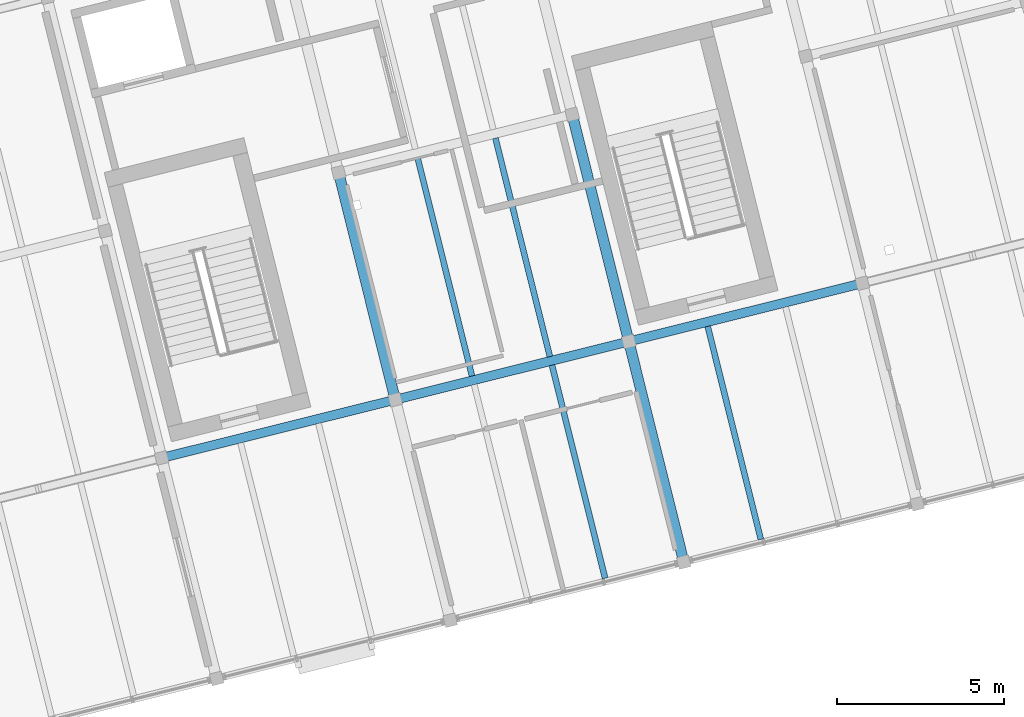
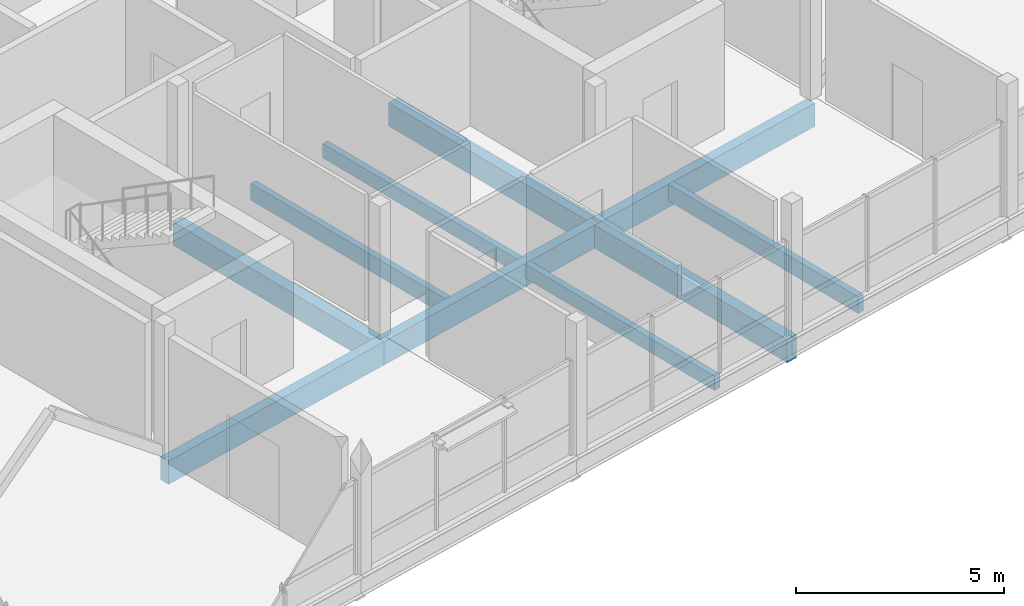
# One storey, part 6 of 26: 10 beams.
"""IFC4 building model written with IfcOpenShell, lengths in metres."""

from ifc_helpers import new_model, si_unit, direction, frame, origin, origin_2d, place, context, subcontext, project, spatial, rectangle, extrude, material, material_profile, profile_set, type_object, element, save


model = new_model("IFC4")

# Units and contexts
model_context = context("Model", 3, precision=1e-05, world=origin(), true_north=direction((0.0, 1.0)))
body_context = subcontext(model_context, "Body", "Model", "MODEL_VIEW")
ifc_project = project(units=[si_unit("LENGTHUNIT", "METRE"), si_unit("AREAUNIT", "SQUARE_METRE"), si_unit("VOLUMEUNIT", "CUBIC_METRE"), si_unit("PLANEANGLEUNIT", "RADIAN"), si_unit("MASSUNIT", "GRAM", prefix="KILO")], contexts=[model_context])

# Site, building, storey
site_placement = place(None, origin())
site = spatial("IfcSite", under=ifc_project, at=site_placement, CompositionType="ELEMENT")
building_placement = place(site_placement, origin())
building = spatial("IfcBuilding", under=site, at=building_placement, Name="Meriwether Solvik Hall", CompositionType="ELEMENT")
storey_placement = place(building_placement, frame((0.0, 0.0, 41.699951171875)))
storey = spatial("IfcBuildingStorey", under=building, at=storey_placement, Name="L10", CompositionType="ELEMENT", Elevation=41.699951171875)

# Beams
ifc_material_1 = material(Name="Glulam Douglas-Fir 24F-V8 GL28h", Category="wood")
ifc_material_profile_1 = material_profile(ifc_material_1, rectangle(XDim=0.27294921875, YDim=0.68505859375, at=origin_2d()), Name="GLB-273X685")
ifc_profile_set_1 = profile_set([ifc_material_profile_1], Name="Glulam Douglas-Fir 24F-V8 GL28h")
beam_type_1 = type_object("IfcBeamType", Name="BM-GL-273X685", PredefinedType="BEAM", material=ifc_profile_set_1)
beam_1_placement = place(storey_placement, frame((74.3291015625, 49.63671875, -0.5224609375), z_axis=(0.970301855688, 0.241897310542, 0.0), x_axis=(-0.241897310542, 0.970301855688, 0.0)))
element("IfcBeam", 1, at=beam_1_placement, inside=storey, type_object=beam_type_1, Name="Tower Girder TB:T2-T3 (L10)", PredefinedType="BEAM", context=body_context, shape_type="SweptSolid", body=[
    extrude(rectangle(XDim=0.27294921875, YDim=0.68505859375, at=origin_2d()), origin(), (0.0, 0.0, 1.0), 7.2001953125),
])
for number, where, z_axis, x_axis, name in (
    (2, (81.3154296875, 51.37841796875, -0.5224609375), (0.970291911955, 0.241937193493, 0.0), (-0.241937193493, 0.970291911955, 0.0), "Tower Girder TB:T3-T4 (L10)"),
    (3, (88.301513671875, 53.120361328125, -0.5224609375), (0.970299871507, 0.241905269381, 0.0), (-0.241905269381, 0.970299871507, 0.0), "Tower Girder TB:T4-T5 (L10)"),
):
    element("IfcBeam", number, at=place(storey_placement, frame(where, z_axis=z_axis, x_axis=x_axis)), inside=storey, type_object=beam_type_1, Name=name, PredefinedType="BEAM", context=body_context, shape_type="SweptSolid", body=[
        extrude(rectangle(XDim=0.27294921875, YDim=0.68505859375, at=origin_2d()), origin(), (0.0, 0.0, 1.0), 7.199951171875),
    ])
ifc_material_2 = material(Name="Glulam Douglas-Fir 24F-V8 GL28h", Category="wood")
ifc_material_profile_2 = material_profile(ifc_material_2, rectangle(XDim=0.31494140625, YDim=0.68505859375, at=origin_2d()), Name="GLB-315X685")
ifc_profile_set_2 = profile_set([ifc_material_profile_2], Name="Glulam Douglas-Fir 24F-V8 GL28h")
beam_type_2 = type_object("IfcBeamType", Name="BM-GL-315X685", PredefinedType="BEAM", material=ifc_profile_set_2)
beam_2_placement = place(storey_placement, frame((81.3154296875, 51.37841796875, -0.5224609375), z_axis=(-0.241944715397, 0.970290036376, 0.0), x_axis=(-0.970290036376, -0.241944715397, 0.0)))
element("IfcBeam", 4, at=beam_2_placement, inside=storey, type_object=beam_type_2, Name="Tower Girder T3:TB-TC (L10)", PredefinedType="BEAM", context=body_context, shape_type="SweptSolid", body=[
    extrude(rectangle(XDim=0.31494140625, YDim=0.68505859375, at=origin_2d()), origin(), (0.0, 0.0, 1.0), 7.0),
])
beam_3_placement = place(storey_placement, frame((89.946533203125, 46.522216796875, -0.5224609375), z_axis=(-0.24191045034, 0.970298579828, 0.0), x_axis=(-0.970298579828, -0.24191045034, 0.0)))
element("IfcBeam", 5, at=beam_3_placement, inside=storey, type_object=beam_type_2, Name="Tower Girder T4:TA-TB (L10)", PredefinedType="BEAM", context=body_context, shape_type="SweptSolid", body=[
    extrude(rectangle(XDim=0.31494140625, YDim=0.68505859375, at=origin_2d()), origin(), (0.0, 0.0, 1.0), 6.800048828125),
])
beam_4_placement = place(storey_placement, frame((88.301513671875, 53.120361328125, -0.5224609375), z_axis=(-0.241944715397, 0.970290036376, 0.0), x_axis=(-0.970290036376, -0.241944715397, 0.0)))
element("IfcBeam", 6, at=beam_4_placement, inside=storey, type_object=beam_type_2, Name="Tower Girder T4:TB-TC (L10)", PredefinedType="BEAM", context=body_context, shape_type="SweptSolid", body=[
    extrude(rectangle(XDim=0.31494140625, YDim=0.68505859375, at=origin_2d()), origin(), (0.0, 0.0, 1.0), 7.0),
])
ifc_material_3 = material(Name="Glulam Douglas-Fir 24F-V8 GL28h", Category="wood")
ifc_material_profile_3 = material_profile(ifc_material_3, rectangle(XDim=0.175048828125, YDim=0.419921875, at=origin_2d()), Name="GLJ-175X420")
ifc_profile_set_3 = profile_set([ifc_material_profile_3], Name="Glulam Douglas-Fir 24F-V8 GL28h")
beam_type_3 = type_object("IfcBeamType", Name="JST-GL-175X420", PredefinedType="JOIST", material=ifc_profile_set_3)
beam_5_placement = place(storey_placement, frame((87.593505859375, 46.038818359375, -0.389892578125), z_axis=(-0.241897136892, 0.97030189898, 0.0), x_axis=(-0.97030189898, -0.241897136892, 0.0)))
element("IfcBeam", 7, at=beam_5_placement, inside=storey, type_object=beam_type_3, Name="Glulam Floor Joist T3/TA-J2 (L10)", PredefinedType="JOIST", context=body_context, shape_type="SweptSolid", body=[
    extrude(rectangle(XDim=0.175048828125, YDim=0.419921875, at=origin_2d()), origin(), (0.0, 0.0, 1.0), 6.568359375),
])
beam_6_placement = place(storey_placement, frame((85.94091796875, 52.667236328125, -0.389892578125), z_axis=(-0.241930176813, 0.9702936615, 0.0), x_axis=(-0.9702936615, -0.241930176813, 0.0)))
element("IfcBeam", 8, at=beam_6_placement, inside=storey, type_object=beam_type_3, Name="Glulam Floor Joist T3/TB-J2 (L10)", PredefinedType="JOIST", context=body_context, shape_type="SweptSolid", body=[
    extrude(rectangle(XDim=0.175048828125, YDim=0.419921875, at=origin_2d()), origin(), (0.0, 0.0, 1.0), 6.737060546875),
])
ifc_material_4 = material(Name="Glulam Douglas-Fir 24F-V8 GL28h", Category="wood")
ifc_material_profile_4 = material_profile(ifc_material_4, rectangle(XDim=0.175048828125, YDim=0.4951171875, at=origin_2d()), Name="GLJ-175X495")
ifc_profile_set_4 = profile_set([ifc_material_profile_4], Name="Glulam Douglas-Fir 24F-V8 GL28h")
beam_type_4 = type_object("IfcBeamType", Name="JST-GL-175X495", PredefinedType="JOIST", material=ifc_profile_set_4)
beam_7_placement = place(storey_placement, frame((83.6123046875, 52.086669921875, -0.427490234375), z_axis=(-0.241930176813, 0.9702936615, 0.0), x_axis=(-0.9702936615, -0.241930176813, 0.0)))
element("IfcBeam", 9, at=beam_7_placement, inside=storey, type_object=beam_type_4, Name="Glulam Floor Joist T3/TB-J1 (L10)", PredefinedType="JOIST", context=body_context, shape_type="SweptSolid", body=[
    extrude(rectangle(XDim=0.175048828125, YDim=0.4951171875, at=origin_2d()), origin(), (0.0, 0.0, 1.0), 6.737060546875),
])
beam_8_placement = place(storey_placement, frame((92.2509765625, 47.199951171875, -0.427490234375), z_axis=(-0.24193213069, 0.970293174324, 0.0), x_axis=(-0.970293174324, -0.24193213069, 0.0)))
element("IfcBeam", 10, at=beam_8_placement, inside=storey, type_object=beam_type_4, Name="Glulam Floor Joist T4/TA-J1 (L10)", PredefinedType="JOIST", context=body_context, shape_type="SweptSolid", body=[
    extrude(rectangle(XDim=0.175048828125, YDim=0.4951171875, at=origin_2d()), origin(), (0.0, 0.0, 1.0), 6.568359375),
])

save(model, "model.ifc")
